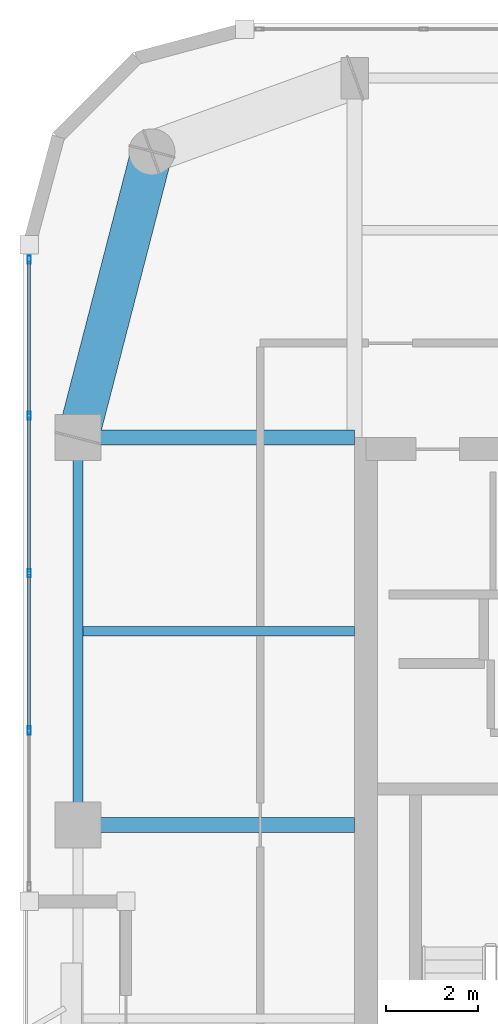
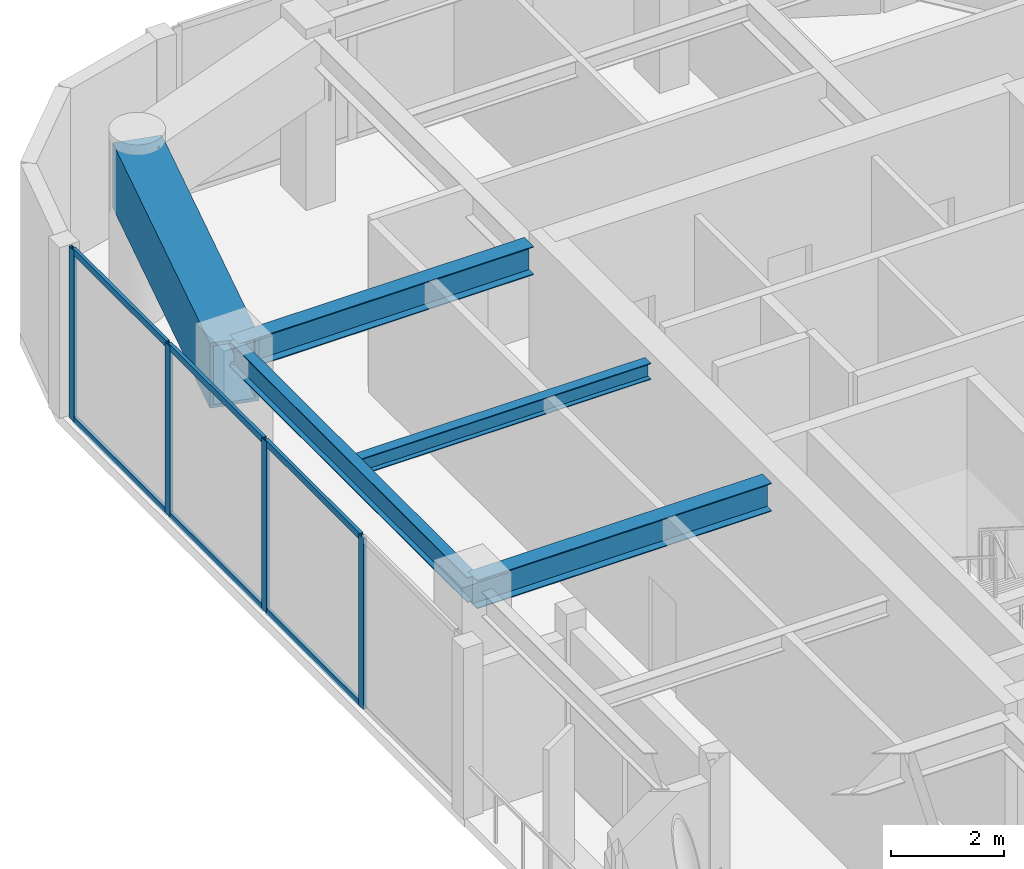
# One storey, part 4 of 15: 10 members, 5 beams, 1 element without a shape of its own.
"""IFC4 building model written with IfcOpenShell, lengths in metres."""

from ifc_helpers import new_model, si_unit, direction, frame, origin, origin_2d, place, context, subcontext, project, spatial, hollow_rectangle, i_section, extrude, material, layer, layer_set, material_profile, profile_set, type_object, element, aggregate, save


model = new_model("IFC4")

# Units and contexts
model_context = context("Model", 3, precision=1e-05, world=origin(), true_north=direction((0.0, 1.0)))
body_context = subcontext(model_context, "Body", "Model", "MODEL_VIEW")
ifc_project = project(units=[si_unit("LENGTHUNIT", "METRE"), si_unit("AREAUNIT", "SQUARE_METRE"), si_unit("VOLUMEUNIT", "CUBIC_METRE"), si_unit("PLANEANGLEUNIT", "RADIAN"), si_unit("MASSUNIT", "GRAM", prefix="KILO")], contexts=[model_context])

# Site, building, storey
site_placement = place(None, origin())
site = spatial("IfcSite", under=ifc_project, at=site_placement, CompositionType="ELEMENT")
building_placement = place(site_placement, origin())
building = spatial("IfcBuilding", under=site, at=building_placement, Name="Kiyonajd Concourse Tower", CompositionType="ELEMENT")
storey_placement = place(building_placement, frame((0.0, 0.0, 274.5)))
storey = spatial("IfcBuildingStorey", under=building, at=storey_placement, Name="L69", CompositionType="ELEMENT", Elevation=274.5)

# Beams
ifc_material_1 = material(Name="Steel ASTM A992 Grade 50", Category="steel")
ifc_material_profile_1 = material_profile(ifc_material_1, i_section(OverallWidth=0.205078125, OverallDepth=0.35400390625, WebThickness=0.009521484375, FlangeThickness=0.016845703125, at=origin_2d()), Name="W360X79")
ifc_profile_set_1 = profile_set([ifc_material_profile_1], Name="Steel ASTM A992 Grade 50")
beam_type_1 = type_object("IfcBeamType", Name="BM-JST-360", PredefinedType="JOIST", material=ifc_profile_set_1)
beam_1_placement = place(storey_placement, frame((26.505615234375, 40.199951171875, 3.5029296875), z_axis=(1.0, 0.0, 0.0), x_axis=(0.0, 1.0, 0.0)))
element("IfcBeam", 1, at=beam_1_placement, inside=storey, type_object=beam_type_1, Name="L69 West Secondary Floor Joist", PredefinedType="JOIST", context=body_context, shape_type="SweptSolid", body=[
    extrude(i_section(OverallWidth=0.205078125, OverallDepth=0.35400390625, WebThickness=0.009521484375, FlangeThickness=0.016845703125, at=origin_2d()), origin(), (0.0, 0.0, 1.0), 5.894287109375),
])
ifc_material_profile_2 = material_profile(ifc_material_1, i_section(OverallWidth=0.2109375, OverallDepth=0.5390625, WebThickness=0.01171875, FlangeThickness=0.018798828125, at=origin_2d()), Name="W530X109")
ifc_profile_set_2 = profile_set([ifc_material_profile_2], Name="Steel ASTM A992 Grade 50")
beam_type_2 = type_object("IfcBeamType", Name="BM-SPAN-530B", PredefinedType="SPANDREL", material=ifc_profile_set_2)
beam_2_placement = place(storey_placement, frame((26.39990234375, 44.39990234375, 3.410400390625), z_axis=(0.0, -1.0, 0.0), x_axis=(1.0, 0.0, 0.0)))
element("IfcBeam", 2, at=beam_2_placement, inside=storey, type_object=beam_type_2, Name="L69 Perimeter Bundled Tube Spandrel", PredefinedType="SPANDREL", context=body_context, shape_type="SweptSolid", body=[
    extrude(i_section(OverallWidth=0.2109375, OverallDepth=0.5390625, WebThickness=0.01171875, FlangeThickness=0.018798828125, at=origin_2d()), origin(), (0.0, 0.0, 1.0), 8.39990234375),
])
ifc_material_profile_3 = material_profile(ifc_material_1, i_section(OverallWidth=0.323974609375, OverallDepth=0.611083984375, WebThickness=0.0126953125, FlangeThickness=0.01904296875, at=origin_2d()), Name="W610X155")
ifc_profile_set_3 = profile_set([ifc_material_profile_3], Name="Steel ASTM A992 Grade 50")
beam_type_3 = type_object("IfcBeamType", Name="BM-TWR-610B", PredefinedType="BEAM", material=ifc_profile_set_3)
for number, where, z_axis, x_axis, name in (
    (3, (26.39990234375, 36.0, 3.37451171875), (1.0, 0.0, 0.0), (0.0, 1.0, 0.0), "L69 West Lease Girder"),
    (4, (26.39990234375, 44.39990234375, 3.37451171875), (1.0, 0.0, 0.0), (0.0, 1.0, 0.0), "L69 West Lease Girder"),
):
    element("IfcBeam", number, at=place(storey_placement, frame(where, z_axis=z_axis, x_axis=x_axis)), inside=storey, type_object=beam_type_3, Name=name, PredefinedType="BEAM", context=body_context, shape_type="SweptSolid", body=[
        extrude(i_section(OverallWidth=0.323974609375, OverallDepth=0.611083984375, WebThickness=0.0126953125, FlangeThickness=0.01904296875, at=origin_2d()), origin(), (0.0, 0.0, 1.0), 6.0),
    ])
ifc_material_2 = material(Name="Steel ASTM A572 Grade 50", Category="steel")
ifc_material_profile_4 = material_profile(ifc_material_2, hollow_rectangle(XDim=0.89990234375, YDim=1.39990234375, WallThickness=0.070068359375, at=origin_2d()), Name="BOX-1400x900x70")
ifc_profile_set_4 = profile_set([ifc_material_profile_4], Name="Steel ASTM A572 Grade 50")
beam_type_4 = type_object("IfcBeamType", Name="BM-XFER-1400", PredefinedType="BEAM", material=ifc_profile_set_4)
beam_3_placement = place(storey_placement, frame((28.0, 50.60009765625, 2.97998046875), z_axis=(-0.249884937687, -0.968275538221, 0.0), x_axis=(0.968275538221, -0.249884937687, 0.0)))
element("IfcBeam", 5, at=beam_3_placement, inside=storey, type_object=beam_type_4, Name="L69 Perimeter Bundled Tube Spandrel", PredefinedType="BEAM", context=body_context, shape_type="SweptSolid", body=[
    extrude(hollow_rectangle(XDim=0.89990234375, YDim=1.39990234375, WallThickness=0.070068359375, at=origin_2d()), origin(), (0.0, 0.0, 1.0), 6.4033203125),
])

# Curtain wall, members
ifc_material_3 = material(Name="Thermally Broken Anodised Aluminium", Category="aluminium")
ifc_layer = layer(ifc_material_3, 0.179931640625)
ifc_layer_set = layer_set([ifc_layer], Name="Thermally Broken Anodised Aluminium")
curtain_wall_type = type_object("IfcCurtainWallType", Name="CW-SYS-04", PredefinedType="NOTDEFINED", material=ifc_layer_set)
curtain_wall_placement = place(storey_placement, origin())
curtain_wall = element("IfcCurtainWall", 6, at=curtain_wall_placement, inside=storey, type_object=curtain_wall_type, Name="L69 Unitised Curtain Wall CW4", PredefinedType="NOTDEFINED")
ifc_material_profile_5 = material_profile(ifc_material_3, hollow_rectangle(XDim=0.06494140625, YDim=0.179931640625, WallThickness=0.00390625, at=origin_2d()), Name="MULL-65x180")
ifc_profile_set_5 = profile_set([ifc_material_profile_5], Name="Thermally Broken Anodised Aluminium")
member_type_1 = type_object("IfcMemberType", Name="MB-CW-MULL1", PredefinedType="MULLION", material=ifc_profile_set_5)
member_1_placement = place(storey_placement, frame((25.340087890625, 38.04541015625, 0.0), z_axis=(0.0, 0.0, 1.0), x_axis=(-1.0, 0.0, 0.0)))
member_1 = element("IfcMember", 7, at=member_1_placement, type_object=member_type_1, Name="CW4 mullion 2", PredefinedType="MULLION", context=body_context, shape_type="SweptSolid", body=[
    extrude(hollow_rectangle(XDim=0.06494140625, YDim=0.179931640625, WallThickness=0.00390625, at=origin_2d()), origin(), (0.0, 0.0, 1.0), 3.679931640625),
])
member_2_placement = place(storey_placement, frame((25.340087890625, 41.460693359375, 0.0), z_axis=(0.0, 0.0, 1.0), x_axis=(-1.0, 0.0, 0.0)))
member_2 = element("IfcMember", 8, at=member_2_placement, type_object=member_type_1, Name="CW4 mullion 3", PredefinedType="MULLION", context=body_context, shape_type="SweptSolid", body=[
    extrude(hollow_rectangle(XDim=0.06494140625, YDim=0.179931640625, WallThickness=0.00390625, at=origin_2d()), origin(), (0.0, 0.0, 1.0), 3.679931640625),
])
member_3_placement = place(storey_placement, frame((25.340087890625, 44.876220703125, 0.0), z_axis=(0.0, 0.0, 1.0), x_axis=(-1.0, 0.0, 0.0)))
member_3 = element("IfcMember", 9, at=member_3_placement, type_object=member_type_1, Name="CW4 mullion 4", PredefinedType="MULLION", context=body_context, shape_type="SweptSolid", body=[
    extrude(hollow_rectangle(XDim=0.06494140625, YDim=0.179931640625, WallThickness=0.00390625, at=origin_2d()), origin(), (0.0, 0.0, 1.0), 3.679931640625),
])
member_4_placement = place(storey_placement, frame((25.340087890625, 48.259033203125, 0.0), z_axis=(0.0, 0.0, 1.0), x_axis=(-1.0, 0.0, 0.0)))
member_4 = element("IfcMember", 10, at=member_4_placement, type_object=member_type_1, Name="CW4 mullion 5", PredefinedType="MULLION", context=body_context, shape_type="SweptSolid", body=[
    extrude(hollow_rectangle(XDim=0.06494140625, YDim=0.179931640625, WallThickness=0.00390625, at=origin_2d()), origin(), (0.0, 0.0, 1.0), 3.679931640625),
])
ifc_material_profile_6 = material_profile(ifc_material_3, hollow_rectangle(XDim=0.06494140625, YDim=0.139892578125, WallThickness=0.00390625, at=origin_2d()), Name="TRAN-65x140")
ifc_profile_set_6 = profile_set([ifc_material_profile_6], Name="Thermally Broken Anodised Aluminium")
member_type_2 = type_object("IfcMemberType", Name="MB-CW-TRAN1", PredefinedType="USERDEFINED", material=ifc_profile_set_6)
member_5_placement = place(storey_placement, frame((25.340087890625, 38.077880859375, 0.032470703125), z_axis=(0.0, 1.0, 0.0), x_axis=(-1.0, 0.0, 0.0)))
member_5 = element("IfcMember", 11, at=member_5_placement, type_object=member_type_2, Name="CW4 transom 2.1", ObjectType="TRANSOM", PredefinedType="USERDEFINED", context=body_context, shape_type="SweptSolid", body=[
    extrude(hollow_rectangle(XDim=0.06494140625, YDim=0.139892578125, WallThickness=0.00390625, at=origin_2d()), origin(), (0.0, 0.0, 1.0), 3.350341796875),
])
member_6_placement = place(storey_placement, frame((25.340087890625, 38.077880859375, 3.6474609375), z_axis=(0.0, 1.0, 0.0), x_axis=(-1.0, 0.0, 0.0)))
member_6 = element("IfcMember", 12, at=member_6_placement, type_object=member_type_2, Name="CW4 transom 2.2", ObjectType="TRANSOM", PredefinedType="USERDEFINED", context=body_context, shape_type="SweptSolid", body=[
    extrude(hollow_rectangle(XDim=0.06494140625, YDim=0.139892578125, WallThickness=0.00390625, at=origin_2d()), origin(), (0.0, 0.0, 1.0), 3.350341796875),
])
member_7_placement = place(storey_placement, frame((25.340087890625, 41.493408203125, 0.032470703125), z_axis=(0.0, 1.0, 0.0), x_axis=(-1.0, 0.0, 0.0)))
member_7 = element("IfcMember", 13, at=member_7_placement, type_object=member_type_2, Name="CW4 transom 3.1", ObjectType="TRANSOM", PredefinedType="USERDEFINED", context=body_context, shape_type="SweptSolid", body=[
    extrude(hollow_rectangle(XDim=0.06494140625, YDim=0.139892578125, WallThickness=0.00390625, at=origin_2d()), origin(), (0.0, 0.0, 1.0), 3.350341796875),
])
member_8_placement = place(storey_placement, frame((25.340087890625, 41.493408203125, 3.6474609375), z_axis=(0.0, 1.0, 0.0), x_axis=(-1.0, 0.0, 0.0)))
member_8 = element("IfcMember", 14, at=member_8_placement, type_object=member_type_2, Name="CW4 transom 3.2", ObjectType="TRANSOM", PredefinedType="USERDEFINED", context=body_context, shape_type="SweptSolid", body=[
    extrude(hollow_rectangle(XDim=0.06494140625, YDim=0.139892578125, WallThickness=0.00390625, at=origin_2d()), origin(), (0.0, 0.0, 1.0), 3.350341796875),
])
member_9_placement = place(storey_placement, frame((25.340087890625, 44.90869140625, 0.032470703125), z_axis=(0.0, 1.0, 0.0), x_axis=(-1.0, 0.0, 0.0)))
member_9 = element("IfcMember", 15, at=member_9_placement, type_object=member_type_2, Name="CW4 transom 4.1", ObjectType="TRANSOM", PredefinedType="USERDEFINED", context=body_context, shape_type="SweptSolid", body=[
    extrude(hollow_rectangle(XDim=0.06494140625, YDim=0.139892578125, WallThickness=0.00390625, at=origin_2d()), origin(), (0.0, 0.0, 1.0), 3.31787109375),
])
member_10_placement = place(storey_placement, frame((25.340087890625, 44.90869140625, 3.6474609375), z_axis=(0.0, 1.0, 0.0), x_axis=(-1.0, 0.0, 0.0)))
member_10 = element("IfcMember", 16, at=member_10_placement, type_object=member_type_2, Name="CW4 transom 4.2", ObjectType="TRANSOM", PredefinedType="USERDEFINED", context=body_context, shape_type="SweptSolid", body=[
    extrude(hollow_rectangle(XDim=0.06494140625, YDim=0.139892578125, WallThickness=0.00390625, at=origin_2d()), origin(), (0.0, 0.0, 1.0), 3.31787109375),
])
aggregate(curtain_wall, [member_1, member_2, member_3, member_4, member_5, member_6, member_7, member_8, member_9, member_10])

save(model, "model.ifc")
